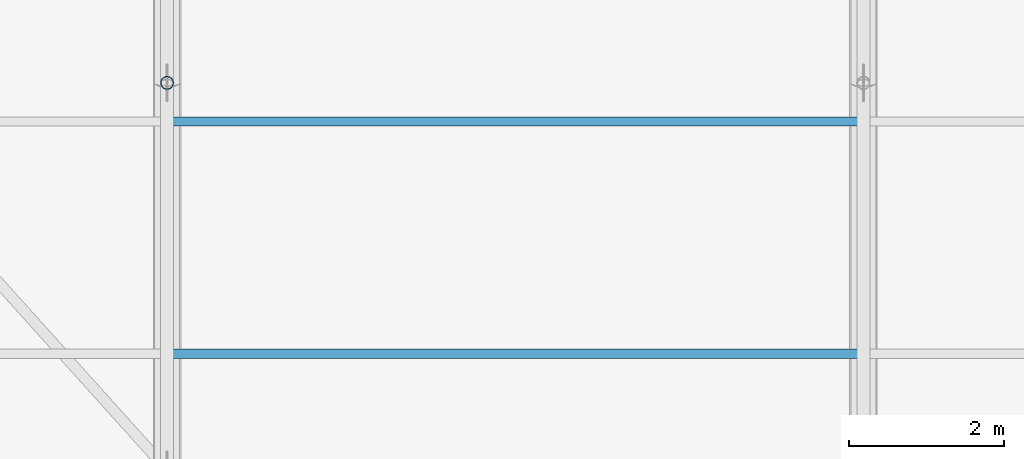
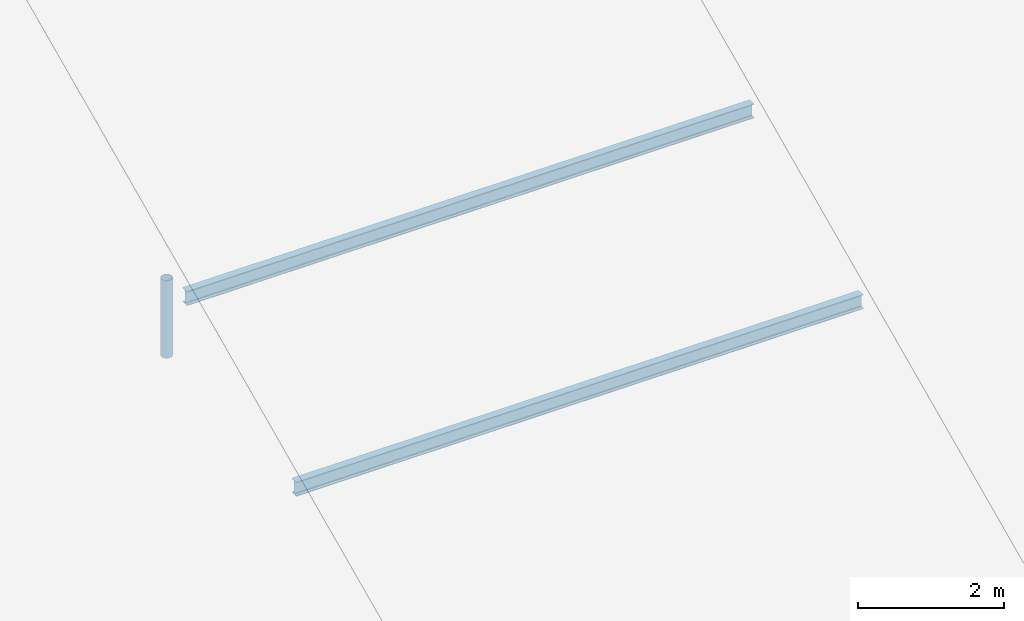
# One storey, part 15 of 107: 3 members.
"""IFC4 building model written with IfcOpenShell, lengths in metres."""

from ifc_helpers import new_model, si_unit, derived_unit, direction, frame, origin, origin_2d, place, context, subcontext, project, spatial, hollow_circle, i_section, extrude, material, material_profile, profile_set, type_object, element, save


model = new_model("IFC4")

# Units and contexts
model_context = context("Model", 3, precision=1e-05, world=origin(), true_north=direction((0.0, 1.0)))
body_context = subcontext(model_context, "Body", "Model", "MODEL_VIEW")
ifc_project = project(units=[si_unit("LENGTHUNIT", "METRE"), si_unit("AREAUNIT", "SQUARE_METRE"), si_unit("VOLUMEUNIT", "CUBIC_METRE"), si_unit("PLANEANGLEUNIT", "RADIAN"), si_unit("MASSUNIT", "GRAM", prefix="KILO"), si_unit("THERMODYNAMICTEMPERATUREUNIT", "KELVIN"), si_unit("TIMEUNIT", "SECOND"), derived_unit("THERMALTRANSMITTANCEUNIT", [(si_unit("MASSUNIT", "GRAM", prefix="KILO"), 1), (si_unit("THERMODYNAMICTEMPERATUREUNIT", "KELVIN"), -1), (si_unit("TIMEUNIT", "SECOND"), -3)])], contexts=[model_context])

# Site, building, storey
site_placement = place(None, origin())
site = spatial("IfcSite", under=ifc_project, at=site_placement, CompositionType="ELEMENT")
building_placement = place(site_placement, origin())
building = spatial("IfcBuilding", under=site, at=building_placement, Name="Cambertide Market Hall", CompositionType="ELEMENT")
storey_placement = place(building_placement, frame((0.0, 0.0, 18.300048828125)))
storey = spatial("IfcBuildingStorey", under=building, at=storey_placement, Name="RF", CompositionType="ELEMENT", Elevation=18.300048828125)

# Members
ifc_material_1 = material(Name="Steel S275", Category="steel")
ifc_material_profile_1 = material_profile(ifc_material_1, i_section(OverallWidth=0.1201171875, OverallDepth=0.239990234375, WebThickness=0.006103515625, FlangeThickness=0.009765625, FilletRadius=0.014892578125, at=origin_2d()), Name="IPE 240")
ifc_profile_set_1 = profile_set([ifc_material_profile_1], Name="Steel S275")
member_type_1 = type_object("IfcMemberType", Name="Roof Purlin IPE 240", PredefinedType="PURLIN", material=ifc_profile_set_1)
for number, where, z_axis, x_axis, name in (
    (1, (78.0, 58.5, -6.35009765625), (1.0, 0.0, 0.0), (0.0, 1.0, 0.0), "Barrel Roof Purlin 5-04"),
    (2, (78.0, 61.5, -4.969970703125), (1.0, 0.0, 0.0), (0.0, 1.0, 0.0), "Barrel Roof Purlin 5-05"),
):
    element("IfcMember", number, at=place(storey_placement, frame(where, z_axis=z_axis, x_axis=x_axis)), inside=storey, type_object=member_type_1, Name=name, PredefinedType="PURLIN", context=body_context, shape_type="SweptSolid", body=[
        extrude(i_section(OverallWidth=0.1201171875, OverallDepth=0.239990234375, WebThickness=0.006103515625, FlangeThickness=0.009765625, FilletRadius=0.014892578125, at=origin_2d()), origin(), (0.0, 0.0, 1.0), 9.0),
    ])
ifc_material_2 = material(Name="Steel S355", Category="steel")
ifc_material_profile_2 = material_profile(ifc_material_2, hollow_circle(Radius=0.084228515625, WallThickness=0.00634765625, at=origin_2d()), Name="CHS 168.3x6.3")
ifc_profile_set_2 = profile_set([ifc_material_profile_2], Name="Steel S355")
member_type_2 = type_object("IfcMemberType", Name="Structural Brace CHS 168.3x6.3", PredefinedType="BRACE", material=ifc_profile_set_2)
member_placement = place(storey_placement, frame((78.0, 62.0, -6.251220703125), z_axis=(0.0, 0.0, 1.0), x_axis=(1.0, 0.0, 0.0)))
element("IfcMember", 3, at=member_placement, inside=storey, type_object=member_type_2, Name="Roof Truss 5 Web Post 3", PredefinedType="BRACE", context=body_context, shape_type="SweptSolid", body=[
    extrude(hollow_circle(Radius=0.084228515625, WallThickness=0.00634765625, at=origin_2d()), origin(), (0.0, 0.0, 1.0), 1.30126953125),
])

save(model, "model.ifc")
